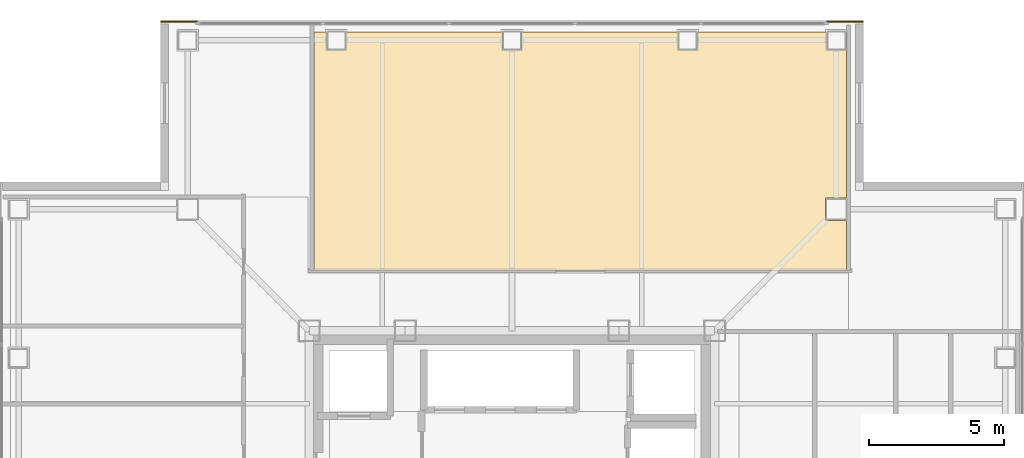
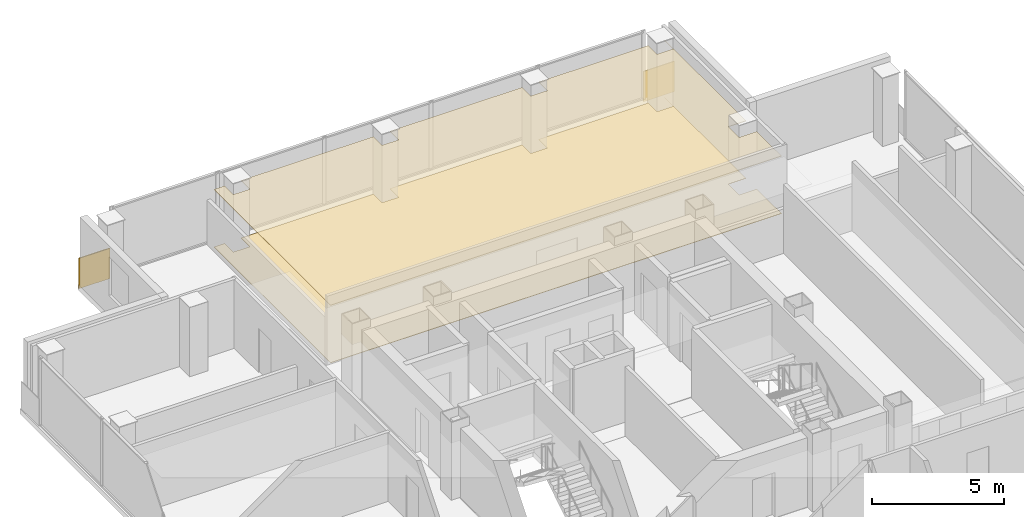
# One storey, part 16 of 16: 4 coverings.
"""IFC4 building model written with IfcOpenShell, lengths in metres."""

from ifc_helpers import new_model, si_unit, direction, frame, frame_2d, origin, place, context, subcontext, project, spatial, polyline, rectangle, outline, extrude, material, layer, layer_set, type_object, element, save


model = new_model("IFC4")

# Units and contexts
model_context = context("Model", 3, precision=1e-05, world=origin(), true_north=direction((0.0, 1.0)))
body_context = subcontext(model_context, "Body", "Model", "MODEL_VIEW")
ifc_project = project(units=[si_unit("LENGTHUNIT", "METRE"), si_unit("AREAUNIT", "SQUARE_METRE"), si_unit("VOLUMEUNIT", "CUBIC_METRE"), si_unit("PLANEANGLEUNIT", "RADIAN"), si_unit("MASSUNIT", "GRAM", prefix="KILO")], contexts=[model_context])

# Site, building, storey
site_placement = place(None, origin())
site = spatial("IfcSite", under=ifc_project, at=site_placement, CompositionType="ELEMENT")
building_placement = place(site_placement, origin())
building = spatial("IfcBuilding", under=site, at=building_placement, Name="Trevonay Congress Spire", CompositionType="ELEMENT")
storey_placement = place(building_placement, frame((0.0, 0.0, 297.199951171875)))
storey = spatial("IfcBuildingStorey", under=building, at=storey_placement, Name="L78", CompositionType="ELEMENT", Elevation=297.199951171875)

# Coverings
ifc_material_1 = material(Name="Acoustic Mineral Fibre Board", Category="gypsum")
ifc_layer_1 = layer(ifc_material_1, 0.02490234375, Name="Acoustic Mineral Fibre Board")
ifc_layer_set_1 = layer_set([ifc_layer_1], Name="Acoustic Mineral Fibre Board")
covering_type_1 = type_object("IfcCoveringType", Name="COV-CEIL-ACOUSTIC", PredefinedType="CEILING", material=ifc_layer_set_1)
covering_1_placement = place(storey_placement, frame((0.0, 0.0, 2.650146484375)))
element("IfcCovering", 1, at=covering_1_placement, inside=storey, type_object=covering_type_1, Name="L78 Harbour View Grand Banquet Dining Room acoustic suspended ceiling", PredefinedType="CEILING", context=body_context, shape_type="SweptSolid", body=[
    extrude(outline(polyline([(12.3701171875, 9.72998046875), (-7.320068359375, 9.72998046875), (-7.320068359375, 18.550048828125), (-6.860107421875, 18.550048828125), (-6.860107421875, 17.889892578125), (-6.139892578125, 17.889892578125), (-6.139892578125, 18.550048828125), (-0.360107421875, 18.550048828125), (-0.360107421875, 17.889892578125), (0.360107421875, 17.889892578125), (0.360107421875, 18.550048828125), (6.139892578125, 18.550048828125), (6.139892578125, 17.889892578125), (6.860107421875, 17.889892578125), (6.860107421875, 18.550048828125), (11.639892578125, 18.550048828125), (11.639892578125, 17.889892578125), (12.360107421875, 17.889892578125), (12.360107421875, 18.550048828125), (12.3701171875, 18.550048828125), (12.3701171875, 12.409912109375), (11.590087890625, 12.409912109375), (11.590087890625, 11.590087890625), (12.3701171875, 11.590087890625), (12.3701171875, 9.72998046875)])), origin(), (0.0, 0.0, 1.0), 0.02490234375),
])
ifc_material_2 = material(Name="Polished Granite Floor Tile", Category="masonry")
ifc_layer_2 = layer(ifc_material_2, 0.02001953125, Name="Polished Granite Floor Tile")
ifc_layer_set_2 = layer_set([ifc_layer_2], Name="Polished Granite Floor Tile")
covering_type_2 = type_object("IfcCoveringType", Name="COV-FLOOR-STONE", PredefinedType="FLOORING", material=ifc_layer_set_2)
covering_2_placement = place(storey_placement, origin())
element("IfcCovering", 2, at=covering_2_placement, inside=storey, type_object=covering_type_2, Name="L78 Harbour View Grand Banquet Dining Room floor finish", PredefinedType="FLOORING", context=body_context, shape_type="SweptSolid", body=[
    extrude(outline(polyline([(12.3701171875, 9.72998046875), (-7.320068359375, 9.72998046875), (-7.320068359375, 18.550048828125), (-6.860107421875, 18.550048828125), (-6.860107421875, 17.889892578125), (-6.139892578125, 17.889892578125), (-6.139892578125, 18.550048828125), (-0.360107421875, 18.550048828125), (-0.360107421875, 17.889892578125), (0.360107421875, 17.889892578125), (0.360107421875, 18.550048828125), (6.139892578125, 18.550048828125), (6.139892578125, 17.889892578125), (6.860107421875, 17.889892578125), (6.860107421875, 18.550048828125), (11.639892578125, 18.550048828125), (11.639892578125, 17.889892578125), (12.360107421875, 17.889892578125), (12.360107421875, 18.550048828125), (12.3701171875, 18.550048828125), (12.3701171875, 12.409912109375), (11.590087890625, 12.409912109375), (11.590087890625, 11.590087890625), (12.3701171875, 11.590087890625), (12.3701171875, 9.72998046875)])), origin(), (0.0, 0.0, 1.0), 0.02001953125),
])
ifc_material_3 = material(Name="Pale Anodised Aluminium EN AW-6063-T6", Category="aluminium")
ifc_layer_3 = layer(ifc_material_3, 0.0400390625, Name="Pale Anodised Aluminium EN AW-6063-T6")
ifc_layer_set_3 = layer_set([ifc_layer_3], Name="Pale Anodised Aluminium EN AW-6063-T6")
covering_type_3 = type_object("IfcCoveringType", Name="COV-SPANDREL-PALE-METAL", PredefinedType="CLADDING", material=ifc_layer_set_3)
for number, where, z_axis, x_axis, name in (
    (3, (11.64990234375, 18.93994140625, -0.14990234375), (0.0, 0.0, 1.0), (1.0, 0.0, 0.0), "L78 NE corner pier spandrel cladding 2"),
    (4, (-11.64990234375, 18.93994140625, -0.14990234375), (0.0, 0.0, 1.0), (-1.0, 0.0, 0.0), "L78 NW corner pier spandrel cladding 2"),
):
    element("IfcCovering", number, at=place(storey_placement, frame(where, z_axis=z_axis, x_axis=x_axis)), inside=storey, type_object=covering_type_3, Name=name, PredefinedType="CLADDING", context=body_context, shape_type="SweptSolid", body=[
        extrude(rectangle(XDim=1.35009765625, YDim=0.0400390625, at=frame_2d((0.675048828125, 0.0))), origin(), (0.0, 0.0, 1.0), 1.39990234375),
    ])

save(model, "model.ifc")
